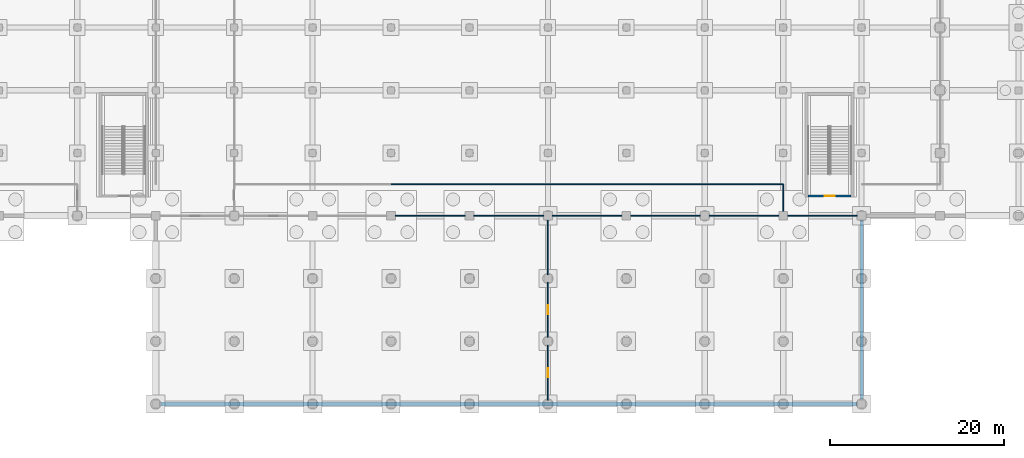
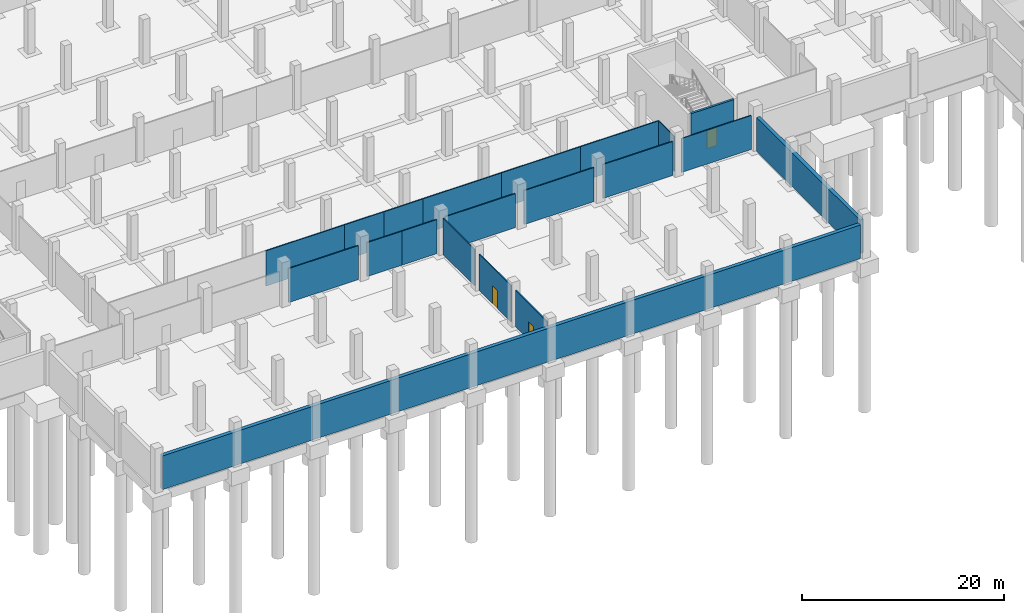
# One storey, part 17 of 39: 20 walls, 3 doors, 3 openings.
"""IFC4 building model written with IfcOpenShell, lengths in metres."""

from ifc_helpers import new_model, si_unit, direction, frame, frame_2d, origin, place, context, subcontext, project, spatial, rectangle, extrude, material, layer, layer_set, type_object, element, fill, save


model = new_model("IFC4")

# Units and contexts
model_context = context("Model", 3, precision=1e-05, world=origin(), true_north=direction((0.0, 1.0)))
body_context = subcontext(model_context, "Body", "Model", "MODEL_VIEW")
ifc_project = project(units=[si_unit("LENGTHUNIT", "METRE"), si_unit("AREAUNIT", "SQUARE_METRE"), si_unit("VOLUMEUNIT", "CUBIC_METRE"), si_unit("PLANEANGLEUNIT", "RADIAN"), si_unit("MASSUNIT", "GRAM", prefix="KILO")], contexts=[model_context])

# Site, building, storey
site_placement = place(None, origin())
site = spatial("IfcSite", under=ifc_project, at=site_placement, CompositionType="ELEMENT")
building_placement = place(site_placement, origin())
building = spatial("IfcBuilding", under=site, at=building_placement, Name="Celestram Park Convention Centre", CompositionType="ELEMENT")
storey_placement = place(building_placement, frame((0.0, 0.0, -5.39990234375)))
storey = spatial("IfcBuildingStorey", under=building, at=storey_placement, Name="B1", CompositionType="ELEMENT", Elevation=-5.39990234375)

# Wall, opening, door
ifc_material_1 = material(Name="Concrete Block Masonry C25/30", Category="masonry")
ifc_layer_1 = layer(ifc_material_1, 0.25)
ifc_layer_set_1 = layer_set([ifc_layer_1], Name="Concrete Block Masonry C25/30")
wall_type_1 = type_object("IfcWallType", Name="ARC-WL-COR250", PredefinedType="STANDARD", material=ifc_layer_set_1)
wall_1_placement = place(storey_placement, frame((110.840087890625, 23.875, 0.0), z_axis=(0.0, 0.0, 1.0), x_axis=(1.0, 0.0, 0.0)))
wall_1 = element("IfcWall", 1, at=wall_1_placement, inside=storey, type_object=wall_type_1, Name="Core S18 stair entrance wall", PredefinedType="STANDARD", context=body_context, shape_type="SweptSolid", body=[
    extrude(rectangle(XDim=4.9599609375, YDim=0.25, at=frame_2d((2.47998046875, 0.0))), origin(), (0.0, 0.0, 1.0), 4.949951171875),
])
opening_1_placement = place(wall_1_placement, frame((1.905029296875, 0.0, 0.0)))
opening_1 = element("IfcOpeningElement", 2, at=opening_1_placement, cuts=wall_1, Name="Opening D-ST1", PredefinedType="OPENING", context=body_context, shape_type="SweptSolid", body=[
    extrude(rectangle(XDim=1.14990234375, YDim=2.199951171875, at=frame_2d((0.574951171875, 1.10009765625))), frame((0.0, 0.135009765625, 0.0), z_axis=(0.0, -1.0, 0.0), x_axis=(1.0, 0.0, 0.0)), (0.0, 0.0, 1.0), 0.27001953125),
])
ifc_material_2 = material(Name="Fire-Rated Hollow Metal Steel ASTM A653", Category="steel")
door_type_1 = type_object("IfcDoorType", Name="ARC-DR-ST115", OperationType="NOTDEFINED", PredefinedType="DOOR", material=ifc_material_2)
door_1_placement = place(opening_1_placement, origin())
door_1 = element("IfcDoor", 3, at=door_1_placement, inside=storey, type_object=door_type_1, Name="Exit stair ST-18 fire door", OperationType="SINGLE_SWING_LEFT", OverallHeight=2.199951171875, OverallWidth=1.14990234375, PredefinedType="DOOR", context=body_context, shape_type="SweptSolid", body=[
    extrude(rectangle(XDim=1.14990234375, YDim=2.199951171875, at=frame_2d((0.574951171875, 1.10009765625))), frame((0.0, 0.02490234375, 0.0), z_axis=(0.0, -1.0, 0.0), x_axis=(1.0, 0.0, 0.0)), (0.0, 0.0, 1.0), 0.050048828125),
])
fill(opening_1, door_1)

# Walls
ifc_material_3 = material(Name="Standard Gypsum & Steel Stud 120 mm", Category="steel")
ifc_layer_2 = layer(ifc_material_3, 0.1201171875)
ifc_layer_set_2 = layer_set([ifc_layer_2], Name="Standard Gypsum & Steel Stud 120 mm")
wall_type_2 = type_object("IfcWallType", Name="ARC-WL-PRT120", PredefinedType="PARTITIONING", material=ifc_layer_set_2)
wall_2_placement = place(storey_placement, frame((63.498046875, 21.60009765625, 0.0), z_axis=(0.0, 0.0, 1.0), x_axis=(1.0, 0.0, 0.0)))
element("IfcWall", 4, at=wall_2_placement, inside=storey, type_object=wall_type_2, Name="Interior partition WL-B1-IN0417", PredefinedType="PARTITIONING", context=body_context, shape_type="SweptSolid", body=[
    extrude(rectangle(XDim=8.00390625, YDim=0.1201171875, at=frame_2d((4.001953125, 0.0))), origin(), (0.0, 0.0, 1.0), 4.11279296875),
])
for number, where, z_axis, x_axis, name in (
    (5, (72.498046875, 21.60009765625, 0.0), (0.0, 0.0, 1.0), (1.0, 0.0, 0.0), "Interior partition WL-B1-IN0418"),
    (6, (76.5, 21.60009765625, 0.0), (0.0, 0.0, 1.0), (1.0, 0.0, 0.0), "Interior partition WL-B1-IN0419"),
):
    element("IfcWall", number, at=place(storey_placement, frame(where, z_axis=z_axis, x_axis=x_axis)), inside=storey, type_object=wall_type_2, Name=name, PredefinedType="PARTITIONING", context=body_context, shape_type="SweptSolid", body=[
        extrude(rectangle(XDim=4.001953125, YDim=0.1201171875, at=frame_2d((2.0009765625, 0.0))), origin(), (0.0, 0.0, 1.0), 4.11279296875),
    ])
for number, where, z_axis, x_axis, name in (
    (7, (81.498046875, 21.60009765625, 0.0), (0.0, 0.0, 1.0), (1.0, 0.0, 0.0), "Interior partition WL-B1-IN0420"),
    (8, (90.498046875, 21.60009765625, 0.0), (0.0, 0.0, 1.0), (1.0, 0.0, 0.0), "Interior partition WL-B1-IN0421"),
    (9, (99.498046875, 21.60009765625, 0.0), (0.0, 0.0, 1.0), (1.0, 0.0, 0.0), "Interior partition WL-B1-IN0422"),
    (10, (108.498046875, 21.60009765625, 0.0), (0.0, 0.0, 1.0), (1.0, 0.0, 0.0), "Interior partition WL-B1-IN0423"),
):
    element("IfcWall", number, at=place(storey_placement, frame(where, z_axis=z_axis, x_axis=x_axis)), inside=storey, type_object=wall_type_2, Name=name, PredefinedType="PARTITIONING", context=body_context, shape_type="SweptSolid", body=[
        extrude(rectangle(XDim=8.00390625, YDim=0.1201171875, at=frame_2d((4.001953125, 0.0))), origin(), (0.0, 0.0, 1.0), 4.11279296875),
    ])
wall_3_placement = place(storey_placement, frame((63.0, 25.199951171875, 0.0), z_axis=(0.0, 0.0, 1.0), x_axis=(1.0, 0.0, 0.0)))
element("IfcWall", 11, at=wall_3_placement, inside=storey, type_object=wall_type_2, Name="Interior partition WL-B1-IN0429", PredefinedType="PARTITIONING", context=body_context, shape_type="SweptSolid", body=[
    extrude(rectangle(XDim=9.0, YDim=0.1201171875, at=frame_2d((4.5, 0.0))), origin(), (0.0, 0.0, 1.0), 4.267822265625),
])
for number, where, z_axis, x_axis, name in (
    (12, (72.0, 25.199951171875, 0.0), (0.0, 0.0, 1.0), (1.0, 0.0, 0.0), "Interior partition WL-B1-IN0430"),
    (13, (76.5, 25.199951171875, 0.0), (0.0, 0.0, 1.0), (1.0, 0.0, 0.0), "Interior partition WL-B1-IN0431"),
):
    element("IfcWall", number, at=place(storey_placement, frame(where, z_axis=z_axis, x_axis=x_axis)), inside=storey, type_object=wall_type_2, Name=name, PredefinedType="PARTITIONING", context=body_context, shape_type="SweptSolid", body=[
        extrude(rectangle(XDim=4.5, YDim=0.1201171875, at=frame_2d((2.25, 0.0))), origin(), (0.0, 0.0, 1.0), 4.267822265625),
    ])
for number, where, z_axis, x_axis, name in (
    (14, (81.0, 25.199951171875, 0.0), (0.0, 0.0, 1.0), (1.0, 0.0, 0.0), "Interior partition WL-B1-IN0432"),
    (15, (90.0, 25.199951171875, 0.0), (0.0, 0.0, 1.0), (1.0, 0.0, 0.0), "Interior partition WL-B1-IN0433"),
    (16, (99.0, 25.199951171875, 0.0), (0.0, 0.0, 1.0), (1.0, 0.0, 0.0), "Interior partition WL-B1-IN0434"),
):
    element("IfcWall", number, at=place(storey_placement, frame(where, z_axis=z_axis, x_axis=x_axis)), inside=storey, type_object=wall_type_2, Name=name, PredefinedType="PARTITIONING", context=body_context, shape_type="SweptSolid", body=[
        extrude(rectangle(XDim=9.0, YDim=0.1201171875, at=frame_2d((4.5, 0.0))), origin(), (0.0, 0.0, 1.0), 4.267822265625),
    ])

# Wall, opening, door
wall_4_placement = place(storey_placement, frame((81.0, 0.447998046875, 0.0), z_axis=(0.0, 0.0, 1.0), x_axis=(0.0, 1.0, 0.0)))
wall_4 = element("IfcWall", 17, at=wall_4_placement, inside=storey, type_object=wall_type_2, Name="Interior partition WL-B1-IN0515", PredefinedType="PARTITIONING", context=body_context, shape_type="SweptSolid", body=[
    extrude(rectangle(XDim=6.303955078125, YDim=0.1201171875, at=frame_2d((3.15185546875, 0.0))), origin(), (0.0, 0.0, 1.0), 4.39697265625),
])
opening_2_placement = place(wall_4_placement, frame((2.652099609375, 0.0, 0.0)))
opening_2 = element("IfcOpeningElement", 18, at=opening_2_placement, cuts=wall_4, Name="Opening D-07", PredefinedType="OPENING", context=body_context, shape_type="SweptSolid", body=[
    extrude(rectangle(XDim=1.0, YDim=2.14990234375, at=frame_2d((0.5, 1.074951171875))), frame((0.0, 0.070068359375, 0.0), z_axis=(0.0, -1.0, 0.0), x_axis=(1.0, 0.0, 0.0)), (0.0, 0.0, 1.0), 0.14013671875),
])
ifc_material_4 = material(Name="Solid Core White Oak Single Door", Category="wood")
door_type_2 = type_object("IfcDoorType", Name="ARC-DR-RM100", OperationType="NOTDEFINED", PredefinedType="DOOR", material=ifc_material_4)
door_2_placement = place(opening_2_placement, origin())
door_2 = element("IfcDoor", 19, at=door_2_placement, inside=storey, type_object=door_type_2, Name="Basement Equipment Store entrance door", OperationType="SINGLE_SWING_RIGHT", OverallHeight=2.14990234375, OverallWidth=1.0, PredefinedType="DOOR", context=body_context, shape_type="SweptSolid", body=[
    extrude(rectangle(XDim=1.0, YDim=2.14990234375, at=frame_2d((0.5, 1.074951171875))), frame((0.0, 0.02490234375, 0.0), z_axis=(0.0, -1.0, 0.0), x_axis=(1.0, 0.0, 0.0)), (0.0, 0.0, 1.0), 0.050048828125),
])
fill(opening_2, door_2)

wall_5_placement = place(storey_placement, frame((81.0, 7.64794921875, 0.0), z_axis=(0.0, 0.0, 1.0), x_axis=(0.0, 1.0, 0.0)))
wall_5 = element("IfcWall", 20, at=wall_5_placement, inside=storey, type_object=wall_type_2, Name="Interior partition WL-B1-IN0516", PredefinedType="PARTITIONING", context=body_context, shape_type="SweptSolid", body=[
    extrude(rectangle(XDim=6.303955078125, YDim=0.1201171875, at=frame_2d((3.15185546875, 0.0))), origin(), (0.0, 0.0, 1.0), 4.39697265625),
])
opening_3_placement = place(wall_5_placement, frame((2.626953125, 0.0, 0.0)))
opening_3 = element("IfcOpeningElement", 21, at=opening_3_placement, cuts=wall_5, Name="Opening D-06", PredefinedType="OPENING", context=body_context, shape_type="SweptSolid", body=[
    extrude(rectangle(XDim=1.050048828125, YDim=2.14990234375, at=frame_2d((0.52490234375, 1.074951171875))), frame((0.0, 0.070068359375, 0.0), z_axis=(0.0, -1.0, 0.0), x_axis=(1.0, 0.0, 0.0)), (0.0, 0.0, 1.0), 0.14013671875),
])
door_type_3 = type_object("IfcDoorType", Name="ARC-DR-RM105", OperationType="NOTDEFINED", PredefinedType="DOOR", material=ifc_material_4)
door_3_placement = place(opening_3_placement, origin())
door_3 = element("IfcDoor", 22, at=door_3_placement, inside=storey, type_object=door_type_3, Name="Basement Equipment Store entrance door", OperationType="SINGLE_SWING_LEFT", OverallHeight=2.14990234375, OverallWidth=1.050048828125, PredefinedType="DOOR", context=body_context, shape_type="SweptSolid", body=[
    extrude(rectangle(XDim=1.050048828125, YDim=2.14990234375, at=frame_2d((0.52490234375, 1.074951171875))), frame((0.0, 0.02490234375, 0.0), z_axis=(0.0, -1.0, 0.0), x_axis=(1.0, 0.0, 0.0)), (0.0, 0.0, 1.0), 0.050048828125),
])
fill(opening_3, door_3)

# Walls
wall_6_placement = place(storey_placement, frame((81.0, 14.847900390625, 0.0), z_axis=(0.0, 0.0, 1.0), x_axis=(0.0, 1.0, 0.0)))
element("IfcWall", 23, at=wall_6_placement, inside=storey, type_object=wall_type_2, Name="Interior partition WL-B1-IN0517", PredefinedType="PARTITIONING", context=body_context, shape_type="SweptSolid", body=[
    extrude(rectangle(XDim=6.254150390625, YDim=0.1201171875, at=frame_2d((3.126953125, 0.0))), origin(), (0.0, 0.0, 1.0), 4.39697265625),
])
wall_7_placement = place(storey_placement, frame((108.0, 22.097900390625, 0.0), z_axis=(0.0, 0.0, 1.0), x_axis=(0.0, 1.0, 0.0)))
element("IfcWall", 24, at=wall_7_placement, inside=storey, type_object=wall_type_2, Name="Interior partition WL-B1-IN0522", PredefinedType="PARTITIONING", context=body_context, shape_type="SweptSolid", body=[
    extrude(rectangle(XDim=3.10205078125, YDim=0.1201171875, at=frame_2d((1.551025390625, 0.0))), origin(), (0.0, 0.0, 1.0), 4.267822265625),
])
ifc_material_5 = material(Name="Concrete C40/50", Category="concrete")
ifc_layer_3 = layer(ifc_material_5, 0.419921875)
ifc_layer_set_3 = layer_set([ifc_layer_3], Name="Concrete C40/50")
wall_type_3 = type_object("IfcWallType", Name="STR-WL-RET420", PredefinedType="USERDEFINED", material=ifc_layer_set_3)
wall_8_placement = place(storey_placement, frame((117.0, 21.050048828125, 0.0), z_axis=(0.0, 0.0, 1.0), x_axis=(0.0, -1.0, 0.0)))
element("IfcWall", 25, at=wall_8_placement, inside=storey, type_object=wall_type_3, Name="Basement retaining wall WL-B1-RET19", ObjectType="RETAININGWALL", PredefinedType="USERDEFINED", context=body_context, shape_type="SweptSolid", body=[
    extrude(rectangle(XDim=20.5, YDim=0.419921875, at=frame_2d((10.25, 0.0))), origin(), (0.0, 0.0, 1.0), 4.079833984375),
])
wall_9_placement = place(storey_placement, frame((116.449951171875, 0.0, 0.0), z_axis=(0.0, 0.0, 1.0), x_axis=(-1.0, 0.0, 0.0)))
element("IfcWall", 26, at=wall_9_placement, inside=storey, type_object=wall_type_3, Name="Basement retaining wall WL-B1-RET20", ObjectType="RETAININGWALL", PredefinedType="USERDEFINED", context=body_context, shape_type="SweptSolid", body=[
    extrude(rectangle(XDim=79.89990234375, YDim=0.419921875, at=frame_2d((39.949951171875, 0.0))), origin(), (0.0, 0.0, 1.0), 4.079833984375),
])

save(model, "model.ifc")
